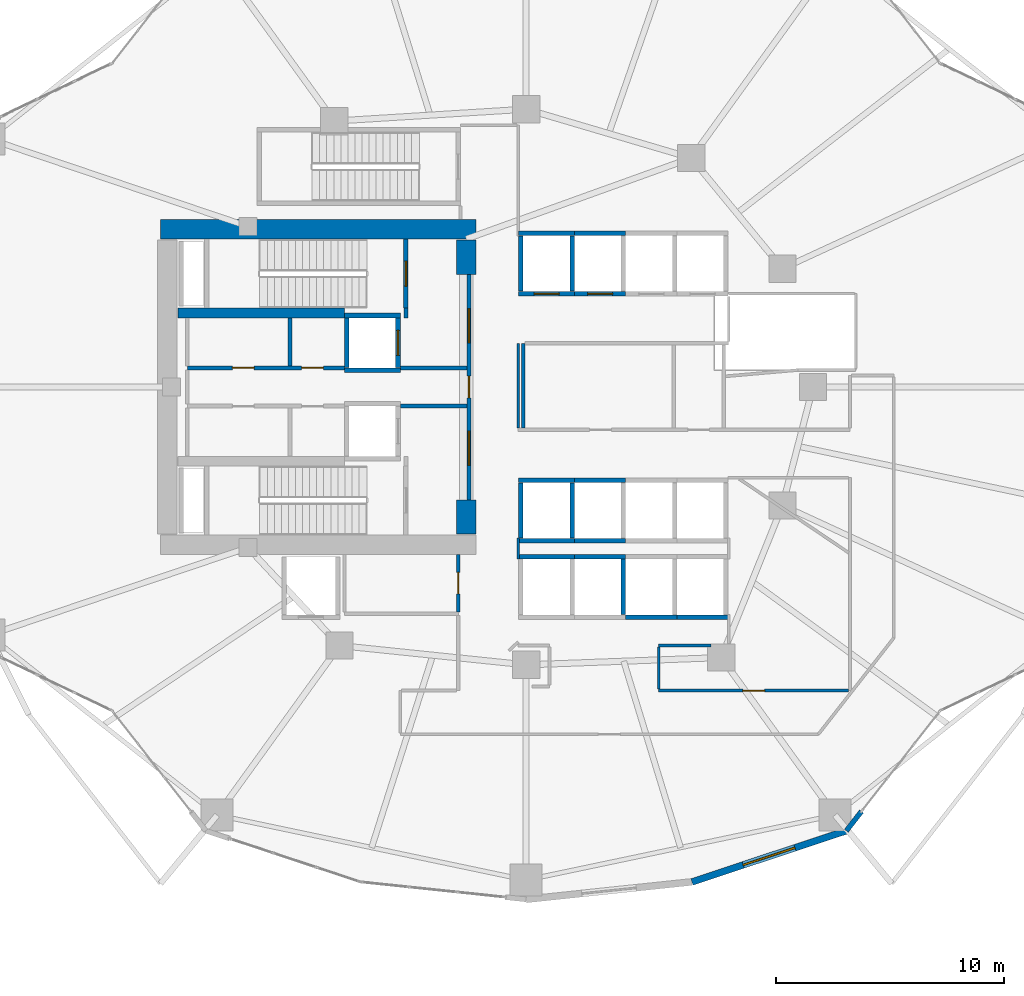
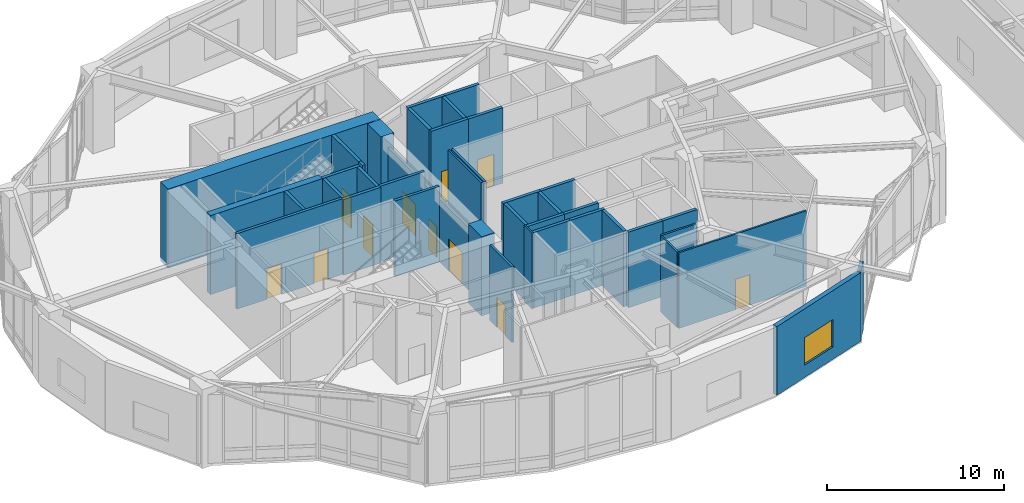
# One storey, part 22 of 29: 41 walls, 11 doors, 1 window, 12 openings.
"""IFC4 building model written with IfcOpenShell, lengths in metres."""

from ifc_helpers import new_model, si_unit, direction, frame, frame_2d, origin, place, context, subcontext, project, spatial, rectangle, extrude, material, layer, layer_set, type_object, element, fill, save


model = new_model("IFC4")

# Units and contexts
model_context = context("Model", 3, precision=1e-05, world=origin(), true_north=direction((0.0, 1.0)))
body_context = subcontext(model_context, "Body", "Model", "MODEL_VIEW")
ifc_project = project(units=[si_unit("LENGTHUNIT", "METRE"), si_unit("AREAUNIT", "SQUARE_METRE"), si_unit("VOLUMEUNIT", "CUBIC_METRE"), si_unit("PLANEANGLEUNIT", "RADIAN"), si_unit("MASSUNIT", "GRAM", prefix="KILO")], contexts=[model_context])

# Site, building, storey
site_placement = place(None, origin())
site = spatial("IfcSite", under=ifc_project, at=site_placement, CompositionType="ELEMENT")
building_placement = place(site_placement, origin())
building = spatial("IfcBuilding", under=site, at=building_placement, Name="Kolvaren Gate Tower and Convention Centre", CompositionType="ELEMENT")
storey_placement = place(building_placement, frame((0.0, 0.0, 21.0)))
storey = spatial("IfcBuildingStorey", under=building, at=storey_placement, Name="L04", CompositionType="ELEMENT", Elevation=21.0)

# Wall
ifc_material_1 = material(Name="Autoclaved Aerated Masonry Blockwork Class 4 (4.0 MPa)", Category="masonry")
ifc_layer_1 = layer(ifc_material_1, 0.179931640625)
ifc_layer_set_1 = layer_set([ifc_layer_1], Name="Autoclaved Aerated Masonry Blockwork Class 4 (4.0 MPa)")
wall_type_1 = type_object("IfcWallType", Name="ARCH-WL-COMP-180", PredefinedType="SOLIDWALL", material=ifc_layer_set_1)
wall_1_placement = place(storey_placement, frame((24.85009765625, 30.0400390625, 0.0), z_axis=(0.0, 0.0, 1.0), x_axis=(0.0, 1.0, 0.0)))
element("IfcWall", 1, at=wall_1_placement, inside=storey, type_object=wall_type_1, Name="Interior Partition WL-L04-INT-002", PredefinedType="SOLIDWALL", context=body_context, shape_type="SweptSolid", body=[
    extrude(rectangle(XDim=0.419921875, YDim=0.179931640625, at=frame_2d((0.2099609375, 0.0))), origin(), (0.0, 0.0, 1.0), 5.219970703125),
])

# Wall, openings, doors
wall_2_placement = place(storey_placement, frame((27.6201171875, 22.050048828125, 0.0), z_axis=(0.0, 0.0, 1.0), x_axis=(0.0, 1.0, 0.0)))
wall_2 = element("IfcWall", 2, at=wall_2_placement, inside=storey, type_object=wall_type_1, Name="Interior Partition WL-L04-INT-003", PredefinedType="SOLIDWALL", context=body_context, shape_type="SweptSolid", body=[
    extrude(rectangle(XDim=9.89990234375, YDim=0.179931640625, at=frame_2d((4.949951171875, 0.0))), origin(), (0.0, 0.0, 1.0), 4.31201171875),
])
opening_1_placement = place(wall_2_placement, frame((4.47509765625, 0.0, 0.0)))
opening_1 = element("IfcOpeningElement", 3, at=opening_1_placement, cuts=wall_2, Name="Opening DR-01", PredefinedType="OPENING", context=body_context, shape_type="SweptSolid", body=[
    extrude(rectangle(XDim=0.949951171875, YDim=2.10009765625, at=frame_2d((0.47509765625, 1.050048828125))), frame((0.0, 0.099853515625, 0.0), z_axis=(0.0, -1.0, 0.0), x_axis=(1.0, 0.0, 0.0)), (0.0, 0.0, 1.0), 0.199951171875),
])
opening_2_placement = place(wall_2_placement, frame((6.889892578125, 0.0, 0.0)))
opening_2 = element("IfcOpeningElement", 4, at=opening_2_placement, cuts=wall_2, Name="Opening DL-01", PredefinedType="OPENING", context=body_context, shape_type="SweptSolid", body=[
    extrude(rectangle(XDim=1.5, YDim=2.199951171875, at=frame_2d((0.75, 1.10009765625))), frame((0.0, 0.099853515625, 0.0), z_axis=(0.0, -1.0, 0.0), x_axis=(1.0, 0.0, 0.0)), (0.0, 0.0, 1.0), 0.199951171875),
])
opening_3_placement = place(wall_2_placement, frame((1.510009765625, 0.0, 0.0)))
opening_3 = element("IfcOpeningElement", 5, at=opening_3_placement, cuts=wall_2, Name="Opening DL-01", PredefinedType="OPENING", context=body_context, shape_type="SweptSolid", body=[
    extrude(rectangle(XDim=1.5, YDim=2.199951171875, at=frame_2d((0.75, 1.10009765625))), frame((0.0, 0.099853515625, 0.0), z_axis=(0.0, -1.0, 0.0), x_axis=(1.0, 0.0, 0.0)), (0.0, 0.0, 1.0), 0.199951171875),
])
ifc_material_2 = material(Name="Painted Architectural Steelwork ASTM A500 Grade C 345 MPa", Category="steel")
door_type_1 = type_object("IfcDoorType", Name="ARCH-DR-LOBBY-1500", OperationType="DOUBLE_DOOR_SINGLE_SWING", PredefinedType="DOOR", material=ifc_material_2)
door_1_placement = place(opening_2_placement, origin())
door_1 = element("IfcDoor", 6, at=door_1_placement, inside=storey, type_object=door_type_1, Name="North Firefighting Stair and Lift Lobby Door", OperationType="DOUBLE_DOOR_SINGLE_SWING", OverallHeight=2.199951171875, OverallWidth=1.5, PredefinedType="DOOR", context=body_context, shape_type="SweptSolid", body=[
    extrude(rectangle(XDim=1.5, YDim=2.199951171875, at=frame_2d((0.75, 1.10009765625))), frame((0.0, 0.02490234375, 0.0), z_axis=(0.0, -1.0, 0.0), x_axis=(1.0, 0.0, 0.0)), (0.0, 0.0, 1.0), 0.050048828125),
])
fill(opening_2, door_1)
door_2_placement = place(opening_3_placement, origin())
door_2 = element("IfcDoor", 7, at=door_2_placement, inside=storey, type_object=door_type_1, Name="South Firefighting Stair and Lift Lobby Door", OperationType="DOUBLE_DOOR_SINGLE_SWING", OverallHeight=2.199951171875, OverallWidth=1.5, PredefinedType="DOOR", context=body_context, shape_type="SweptSolid", body=[
    extrude(rectangle(XDim=1.5, YDim=2.199951171875, at=frame_2d((0.75, 1.10009765625))), frame((0.0, 0.02490234375, 0.0), z_axis=(0.0, -1.0, 0.0), x_axis=(1.0, 0.0, 0.0)), (0.0, 0.0, 1.0), 0.050048828125),
])
fill(opening_3, door_2)
door_type_2 = type_object("IfcDoorType", Name="ARCH-DR-RISER-950", OperationType="SINGLE_SWING_RIGHT", PredefinedType="DOOR", material=ifc_material_2)
door_3_placement = place(opening_1_placement, origin())
door_3 = element("IfcDoor", 8, at=door_3_placement, inside=storey, type_object=door_type_2, Name="Central MEP Service Corridor Door", OperationType="SINGLE_SWING_LEFT", OverallHeight=2.10009765625, OverallWidth=0.949951171875, PredefinedType="DOOR", context=body_context, shape_type="SweptSolid", body=[
    extrude(rectangle(XDim=0.949951171875, YDim=2.10009765625, at=frame_2d((0.47509765625, 1.050048828125))), frame((0.0, 0.02490234375, 0.0), z_axis=(0.0, -1.0, 0.0), x_axis=(1.0, 0.0, 0.0)), (0.0, 0.0, 1.0), 0.050048828125),
])
fill(opening_1, door_3)

wall_3_placement = place(storey_placement, frame((15.25, 27.840087890625, 0.0), z_axis=(0.0, 0.0, 1.0), x_axis=(1.0, 0.0, 0.0)))
wall_3 = element("IfcWall", 9, at=wall_3_placement, inside=storey, type_object=wall_type_1, Name="Interior Partition WL-L04-INT-004", PredefinedType="SOLIDWALL", context=body_context, shape_type="SweptSolid", body=[
    extrude(rectangle(XDim=6.89990234375, YDim=0.179931640625, at=frame_2d((3.449951171875, 0.0))), origin(), (0.0, 0.0, 1.0), 5.219970703125),
])
opening_4_placement = place(wall_3_placement, frame((5.02001953125, 0.0, 0.0)))
opening_4 = element("IfcOpeningElement", 10, at=opening_4_placement, cuts=wall_3, Name="Opening DR-01", PredefinedType="OPENING", context=body_context, shape_type="SweptSolid", body=[
    extrude(rectangle(XDim=0.949951171875, YDim=2.10009765625, at=frame_2d((0.47509765625, 1.050048828125))), frame((0.0, 0.099853515625, 0.0), z_axis=(0.0, -1.0, 0.0), x_axis=(1.0, 0.0, 0.0)), (0.0, 0.0, 1.0), 0.199951171875),
])
opening_5_placement = place(wall_3_placement, frame((1.97998046875, 0.0, 0.0)))
opening_5 = element("IfcOpeningElement", 11, at=opening_5_placement, cuts=wall_3, Name="Opening DR-01", PredefinedType="OPENING", context=body_context, shape_type="SweptSolid", body=[
    extrude(rectangle(XDim=0.949951171875, YDim=2.10009765625, at=frame_2d((0.47509765625, 1.050048828125))), frame((0.0, 0.099853515625, 0.0), z_axis=(0.0, -1.0, 0.0), x_axis=(1.0, 0.0, 0.0)), (0.0, 0.0, 1.0), 0.199951171875),
])
door_4_placement = place(opening_4_placement, origin())
door_4 = element("IfcDoor", 12, at=door_4_placement, inside=storey, type_object=door_type_2, Name="Electrical Switchgear Closet Door", OperationType="SINGLE_SWING_RIGHT", OverallHeight=2.10009765625, OverallWidth=0.949951171875, PredefinedType="DOOR", context=body_context, shape_type="SweptSolid", body=[
    extrude(rectangle(XDim=0.949951171875, YDim=2.10009765625, at=frame_2d((0.47509765625, 1.050048828125))), frame((0.0, 0.02490234375, 0.0), z_axis=(0.0, -1.0, 0.0), x_axis=(1.0, 0.0, 0.0)), (0.0, 0.0, 1.0), 0.050048828125),
])
fill(opening_4, door_4)
door_5_placement = place(opening_5_placement, origin())
door_5 = element("IfcDoor", 13, at=door_5_placement, inside=storey, type_object=door_type_2, Name="Staff Powder Washroom Door", OperationType="SINGLE_SWING_RIGHT", OverallHeight=2.10009765625, OverallWidth=0.949951171875, PredefinedType="DOOR", context=body_context, shape_type="SweptSolid", body=[
    extrude(rectangle(XDim=0.949951171875, YDim=2.10009765625, at=frame_2d((0.47509765625, 1.050048828125))), frame((0.0, 0.02490234375, 0.0), z_axis=(0.0, -1.0, 0.0), x_axis=(1.0, 0.0, 0.0)), (0.0, 0.0, 1.0), 0.050048828125),
])
fill(opening_5, door_5)

# Walls
for number, where, z_axis, x_axis, name in (
    (14, (24.60009765625, 27.840087890625, 0.0), (0.0, 0.0, 1.0), (1.0, 0.0, 0.0), "Interior Partition WL-L04-INT-004 (2)"),
    (15, (24.60009765625, 26.159912109375, 0.0), (0.0, 0.0, 1.0), (1.0, 0.0, 0.0), "Interior Partition WL-L04-INT-005 (2)"),
):
    element("IfcWall", number, at=place(storey_placement, frame(where, z_axis=z_axis, x_axis=x_axis)), inside=storey, type_object=wall_type_1, Name=name, PredefinedType="SOLIDWALL", context=body_context, shape_type="SweptSolid", body=[
        extrude(rectangle(XDim=2.927978515625, YDim=0.179931640625, at=frame_2d((1.4638671875, 0.0))), origin(), (0.0, 0.0, 1.0), 5.219970703125),
    ])
wall_4_placement = place(storey_placement, frame((19.75, 27.931884765625, 0.0), z_axis=(0.0, 0.0, 1.0), x_axis=(0.0, 1.0, 0.0)))
element("IfcWall", 16, at=wall_4_placement, inside=storey, type_object=wall_type_1, Name="Interior Partition WL-L04-INT-008", PredefinedType="SOLIDWALL", context=body_context, shape_type="SweptSolid", body=[
    extrude(rectangle(XDim=2.106201171875, YDim=0.179931640625, at=frame_2d((1.05322265625, 0.0))), origin(), (0.0, 0.0, 1.0), 5.219970703125),
])
ifc_material_3 = material(Name="Fire-Rated Acoustic Gypsum Stud Partition", Category="gypsum")
ifc_layer_2 = layer(ifc_material_3, 0.1201171875)
ifc_layer_set_2 = layer_set([ifc_layer_2], Name="Fire-Rated Acoustic Gypsum Stud Partition")
wall_type_2 = type_object("IfcWallType", Name="ARCH-WL-PART-120", PredefinedType="PARTITIONING", material=ifc_layer_set_2)
wall_5_placement = place(storey_placement, frame((29.780029296875, 19.43994140625, 0.0), z_axis=(0.0, 0.0, 1.0), x_axis=(0.0, 1.0, 0.0)))
element("IfcWall", 17, at=wall_5_placement, inside=storey, type_object=wall_type_2, Name="Interior Partition WL-L04-INT-017", PredefinedType="PARTITIONING", context=body_context, shape_type="SweptSolid", body=[
    extrude(rectangle(XDim=0.920166015625, YDim=0.1201171875, at=frame_2d((0.4599609375, 0.0))), origin(), (0.0, 0.0, 1.0), 5.219970703125),
])
wall_6_placement = place(storey_placement, frame((29.780029296875, 25.197021484375, 0.0), z_axis=(0.0, 0.0, 1.0), x_axis=(0.0, 1.0, 0.0)))
element("IfcWall", 18, at=wall_6_placement, inside=storey, type_object=wall_type_2, Name="Interior Partition WL-L04-INT-018", PredefinedType="PARTITIONING", context=body_context, shape_type="SweptSolid", body=[
    extrude(rectangle(XDim=3.722900390625, YDim=0.1201171875, at=frame_2d((1.861328125, 0.0))), origin(), (0.0, 0.0, 1.0), 5.219970703125),
])

# Wall, opening, door
wall_7_placement = place(storey_placement, frame((35.949951171875, 13.669921875, 0.0), z_axis=(0.0, 0.0, 1.0), x_axis=(1.0, 0.0, 0.0)))
wall_7 = element("IfcWall", 19, at=wall_7_placement, inside=storey, type_object=wall_type_2, Name="Interior Partition WL-L04-INT-030", PredefinedType="PARTITIONING", context=body_context, shape_type="SweptSolid", body=[
    extrude(rectangle(XDim=8.338134765625, YDim=0.1201171875, at=frame_2d((4.1689453125, 0.0))), origin(), (0.0, 0.0, 1.0), 5.219970703125),
])
opening_6_placement = place(wall_7_placement, frame((3.694091796875, 0.0, 0.0)))
opening_6 = element("IfcOpeningElement", 20, at=opening_6_placement, cuts=wall_7, Name="Opening DR-01", PredefinedType="OPENING", context=body_context, shape_type="SweptSolid", body=[
    extrude(rectangle(XDim=0.949951171875, YDim=2.10009765625, at=frame_2d((0.47509765625, 1.050048828125))), frame((0.0, 0.070068359375, 0.0), z_axis=(0.0, -1.0, 0.0), x_axis=(1.0, 0.0, 0.0)), (0.0, 0.0, 1.0), 0.14013671875),
])
door_6_placement = place(opening_6_placement, origin())
door_6 = element("IfcDoor", 21, at=door_6_placement, inside=storey, type_object=door_type_2, Name="Tower Podium Conference Room B Door", OperationType="SINGLE_SWING_RIGHT", OverallHeight=2.10009765625, OverallWidth=0.949951171875, PredefinedType="DOOR", context=body_context, shape_type="SweptSolid", body=[
    extrude(rectangle(XDim=0.949951171875, YDim=2.10009765625, at=frame_2d((0.47509765625, 1.050048828125))), frame((0.0, 0.02490234375, 0.0), z_axis=(0.0, -1.0, 0.0), x_axis=(1.0, 0.0, 0.0)), (0.0, 0.0, 1.0), 0.050048828125),
])
fill(opening_6, door_6)

# Walls
wall_8_placement = place(storey_placement, frame((35.949951171875, 15.64990234375, 0.0), z_axis=(0.0, 0.0, 1.0), x_axis=(1.0, 0.0, 0.0)))
element("IfcWall", 22, at=wall_8_placement, inside=storey, type_object=wall_type_2, Name="Interior Partition WL-L04-INT-034", PredefinedType="PARTITIONING", context=body_context, shape_type="SweptSolid", body=[
    extrude(rectangle(XDim=2.291015625, YDim=0.1201171875, at=frame_2d((1.1455078125, 0.0))), origin(), (0.0, 0.0, 1.0), 5.219970703125),
])
wall_9_placement = place(storey_placement, frame((35.949951171875, 13.73193359375, 0.0), z_axis=(0.0, 0.0, 1.0), x_axis=(0.0, 1.0, 0.0)))
element("IfcWall", 23, at=wall_9_placement, inside=storey, type_object=wall_type_2, Name="Interior Partition WL-L04-INT-035", PredefinedType="PARTITIONING", context=body_context, shape_type="SweptSolid", body=[
    extrude(rectangle(XDim=1.85595703125, YDim=0.1201171875, at=frame_2d((0.927978515625, 0.0))), origin(), (0.0, 0.0, 1.0), 5.219970703125),
])
ifc_material_4 = material(Name="Bogota Sabana Bush-Hammered Sandstone Cladding", Category="masonry")
ifc_layer_3 = layer(ifc_material_4, 0.219970703125)
ifc_layer_set_3 = layer_set([ifc_layer_3], Name="Bogota Sabana Bush-Hammered Sandstone Cladding")
wall_type_3 = type_object("IfcWallType", Name="ARCH-WL-PIER-220", PredefinedType="SOLIDWALL", material=ifc_layer_set_3)
wall_10_placement = place(storey_placement, frame((44.1875, 7.514404296875, 0.0), z_axis=(0.0, 0.0, 1.0), x_axis=(0.616387780378, 0.787442762492, 0.0)))
element("IfcWall", 24, at=wall_10_placement, inside=storey, type_object=wall_type_3, Name="Tower L04 Unitised Curtain Wall CW-POD-GLZ Bay 20 Left Column Pier Wrap", PredefinedType="SOLIDWALL", context=body_context, shape_type="SweptSolid", body=[
    extrude(rectangle(XDim=1.076171875, YDim=0.219970703125, at=frame_2d((0.5380859375, 0.0))), origin(), (0.0, 0.0, 1.0), 4.742919921875),
])
ifc_layer_4 = layer(ifc_material_1, 0.199951171875)
ifc_layer_set_4 = layer_set([ifc_layer_4], Name="Autoclaved Aerated Masonry Blockwork Class 4 (4.0 MPa)")
wall_type_4 = type_object("IfcWallType", Name="ARCH-WL-SHAFT-200", PredefinedType="SOLIDWALL", material=ifc_layer_set_4)
for number, where, z_axis, x_axis, name in (
    (25, (22.14990234375, 30.139892578125, 0.0), (0.0, 0.0, 1.0), (1.0, 0.0, 0.0), "Elevator FF-01 L04 Fire Shaft Wall N"),
    (26, (22.14990234375, 27.739990234375, 0.0), (0.0, 0.0, 1.0), (1.0, 0.0, 0.0), "Elevator FF-01 L04 Fire Shaft Wall S"),
):
    element("IfcWall", number, at=place(storey_placement, frame(where, z_axis=z_axis, x_axis=x_axis)), inside=storey, type_object=wall_type_4, Name=name, PredefinedType="SOLIDWALL", context=body_context, shape_type="SweptSolid", body=[
        extrude(rectangle(XDim=2.4501953125, YDim=0.199951171875, at=frame_2d((1.22509765625, 0.0))), origin(), (0.0, 0.0, 1.0), 5.219970703125),
    ])
wall_11_placement = place(storey_placement, frame((22.25, 27.85009765625, 0.0), z_axis=(0.0, 0.0, 1.0), x_axis=(0.0, 1.0, 0.0)))
element("IfcWall", 27, at=wall_11_placement, inside=storey, type_object=wall_type_4, Name="Elevator FF-01 L04 Fire Shaft Wall W", PredefinedType="SOLIDWALL", context=body_context, shape_type="SweptSolid", body=[
    extrude(rectangle(XDim=2.179931640625, YDim=0.199951171875, at=frame_2d((1.08984375, 0.0))), origin(), (0.0, 0.0, 1.0), 5.219970703125),
])

# Wall, opening, door
wall_12_placement = place(storey_placement, frame((24.5, 27.85009765625, 0.0), z_axis=(0.0, 0.0, 1.0), x_axis=(0.0, 1.0, 0.0)))
wall_12 = element("IfcWall", 28, at=wall_12_placement, inside=storey, type_object=wall_type_4, Name="Elevator FF-01 L04 Fire Shaft Wall E", PredefinedType="SOLIDWALL", context=body_context, shape_type="SweptSolid", body=[
    extrude(rectangle(XDim=2.179931640625, YDim=0.199951171875, at=frame_2d((1.08984375, 0.0))), origin(), (0.0, 0.0, 1.0), 5.219970703125),
])
opening_7_placement = place(wall_12_placement, frame((0.5400390625, 0.0, 0.0)))
opening_7 = element("IfcOpeningElement", 29, at=opening_7_placement, cuts=wall_12, Name="Opening LD", PredefinedType="OPENING", context=body_context, shape_type="SweptSolid", body=[
    extrude(rectangle(XDim=1.10009765625, YDim=2.199951171875, at=frame_2d((0.550048828125, 1.10009765625))), frame((0.0, 0.10986328125, 0.0), z_axis=(0.0, -1.0, 0.0), x_axis=(1.0, 0.0, 0.0)), (0.0, 0.0, 1.0), 0.219970703125),
])
ifc_material_5 = material(Name="Brushed Stainless Steel Grade 316L", Category="steel")
door_type_3 = type_object("IfcDoorType", Name="ARCH-DR-LIFT-1100", OperationType="SLIDING_TO_LEFT", PredefinedType="DOOR", material=ifc_material_5)
door_7_placement = place(opening_7_placement, origin())
door_7 = element("IfcDoor", 30, at=door_7_placement, inside=storey, type_object=door_type_3, Name="Elevator FF-01 L04 Sliding Landing Door", OperationType="SLIDING_TO_LEFT", OverallHeight=2.199951171875, OverallWidth=1.10009765625, PredefinedType="DOOR", context=body_context, shape_type="SweptSolid", body=[
    extrude(rectangle(XDim=1.10009765625, YDim=2.199951171875, at=frame_2d((0.550048828125, 1.10009765625))), frame((0.0, 0.02490234375, 0.0), z_axis=(0.0, -1.0, 0.0), x_axis=(1.0, 0.0, 0.0)), (0.0, 0.0, 1.0), 0.050048828125),
])
fill(opening_7, door_7)

# Wall
wall_13_placement = place(storey_placement, frame((29.800048828125, 33.75, 0.0), z_axis=(0.0, 0.0, 1.0), x_axis=(1.0, 0.0, 0.0)))
element("IfcWall", 31, at=wall_13_placement, inside=storey, type_object=wall_type_4, Name="Elevator PL-01 L04 Fire Shaft Wall N", PredefinedType="SOLIDWALL", context=body_context, shape_type="SweptSolid", body=[
    extrude(rectangle(XDim=2.449951171875, YDim=0.199951171875, at=frame_2d((1.22509765625, 0.0))), origin(), (0.0, 0.0, 1.0), 5.219970703125),
])

# Wall, opening, door
wall_14_placement = place(storey_placement, frame((29.800048828125, 31.10009765625, 0.0), z_axis=(0.0, 0.0, 1.0), x_axis=(1.0, 0.0, 0.0)))
wall_14 = element("IfcWall", 32, at=wall_14_placement, inside=storey, type_object=wall_type_4, Name="Elevator PL-01 L04 Fire Shaft Wall S", PredefinedType="SOLIDWALL", context=body_context, shape_type="SweptSolid", body=[
    extrude(rectangle(XDim=2.449951171875, YDim=0.199951171875, at=frame_2d((1.22509765625, 0.0))), origin(), (0.0, 0.0, 1.0), 5.219970703125),
])
opening_8_placement = place(wall_14_placement, frame((0.675048828125, 0.0, 0.0)))
opening_8 = element("IfcOpeningElement", 33, at=opening_8_placement, cuts=wall_14, Name="Opening LD", PredefinedType="OPENING", context=body_context, shape_type="SweptSolid", body=[
    extrude(rectangle(XDim=1.10009765625, YDim=2.199951171875, at=frame_2d((0.550048828125, 1.10009765625))), frame((0.0, 0.10986328125, 0.0), z_axis=(0.0, -1.0, 0.0), x_axis=(1.0, 0.0, 0.0)), (0.0, 0.0, 1.0), 0.219970703125),
])
door_8_placement = place(opening_8_placement, origin())
door_8 = element("IfcDoor", 34, at=door_8_placement, inside=storey, type_object=door_type_3, Name="Elevator PL-01 L04 Sliding Landing Door", OperationType="SLIDING_TO_LEFT", OverallHeight=2.199951171875, OverallWidth=1.10009765625, PredefinedType="DOOR", context=body_context, shape_type="SweptSolid", body=[
    extrude(rectangle(XDim=1.10009765625, YDim=2.199951171875, at=frame_2d((0.550048828125, 1.10009765625))), frame((0.0, 0.02490234375, 0.0), z_axis=(0.0, -1.0, 0.0), x_axis=(1.0, 0.0, 0.0)), (0.0, 0.0, 1.0), 0.050048828125),
])
fill(opening_8, door_8)

# Walls
for number, where, z_axis, x_axis, name in (
    (35, (29.89990234375, 31.2099609375, 0.0), (0.0, 0.0, 1.0), (0.0, 1.0, 0.0), "Elevator PL-01 L04 Fire Shaft Wall W"),
    (36, (32.14990234375, 31.2099609375, 0.0), (0.0, 0.0, 1.0), (0.0, 1.0, 0.0), "Elevator PL-01 L04 Fire Shaft Wall E"),
):
    element("IfcWall", number, at=place(storey_placement, frame(where, z_axis=z_axis, x_axis=x_axis)), inside=storey, type_object=wall_type_4, Name=name, PredefinedType="SOLIDWALL", context=body_context, shape_type="SweptSolid", body=[
        extrude(rectangle(XDim=2.429931640625, YDim=0.199951171875, at=frame_2d((1.21484375, 0.0))), origin(), (0.0, 0.0, 1.0), 5.219970703125),
    ])
wall_15_placement = place(storey_placement, frame((32.25, 33.75, 0.0), z_axis=(0.0, 0.0, 1.0), x_axis=(1.0, 0.0, 0.0)))
element("IfcWall", 37, at=wall_15_placement, inside=storey, type_object=wall_type_4, Name="Elevator PL-02 L04 Fire Shaft Wall N", PredefinedType="SOLIDWALL", context=body_context, shape_type="SweptSolid", body=[
    extrude(rectangle(XDim=2.25, YDim=0.199951171875, at=frame_2d((1.125, 0.0))), origin(), (0.0, 0.0, 1.0), 5.219970703125),
])

# Wall, opening, door
wall_16_placement = place(storey_placement, frame((32.25, 31.10009765625, 0.0), z_axis=(0.0, 0.0, 1.0), x_axis=(1.0, 0.0, 0.0)))
wall_16 = element("IfcWall", 38, at=wall_16_placement, inside=storey, type_object=wall_type_4, Name="Elevator PL-02 L04 Fire Shaft Wall S", PredefinedType="SOLIDWALL", context=body_context, shape_type="SweptSolid", body=[
    extrude(rectangle(XDim=2.25, YDim=0.199951171875, at=frame_2d((1.125, 0.0))), origin(), (0.0, 0.0, 1.0), 5.219970703125),
])
opening_9_placement = place(wall_16_placement, frame((0.574951171875, 0.0, 0.0)))
opening_9 = element("IfcOpeningElement", 39, at=opening_9_placement, cuts=wall_16, Name="Opening LD", PredefinedType="OPENING", context=body_context, shape_type="SweptSolid", body=[
    extrude(rectangle(XDim=1.10009765625, YDim=2.199951171875, at=frame_2d((0.550048828125, 1.10009765625))), frame((0.0, 0.10986328125, 0.0), z_axis=(0.0, -1.0, 0.0), x_axis=(1.0, 0.0, 0.0)), (0.0, 0.0, 1.0), 0.219970703125),
])
door_9_placement = place(opening_9_placement, origin())
door_9 = element("IfcDoor", 40, at=door_9_placement, inside=storey, type_object=door_type_3, Name="Elevator PL-02 L04 Sliding Landing Door", OperationType="SLIDING_TO_LEFT", OverallHeight=2.199951171875, OverallWidth=1.10009765625, PredefinedType="DOOR", context=body_context, shape_type="SweptSolid", body=[
    extrude(rectangle(XDim=1.10009765625, YDim=2.199951171875, at=frame_2d((0.550048828125, 1.10009765625))), frame((0.0, 0.02490234375, 0.0), z_axis=(0.0, -1.0, 0.0), x_axis=(1.0, 0.0, 0.0)), (0.0, 0.0, 1.0), 0.050048828125),
])
fill(opening_9, door_9)

# Walls
wall_17_placement = place(storey_placement, frame((29.800048828125, 19.550048828125, 0.0), z_axis=(0.0, 0.0, 1.0), x_axis=(1.0, 0.0, 0.0)))
element("IfcWall", 41, at=wall_17_placement, inside=storey, type_object=wall_type_4, Name="Elevator PL-05 L04 Fire Shaft Wall N", PredefinedType="SOLIDWALL", context=body_context, shape_type="SweptSolid", body=[
    extrude(rectangle(XDim=2.449951171875, YDim=0.199951171875, at=frame_2d((1.22509765625, 0.0))), origin(), (0.0, 0.0, 1.0), 5.219970703125),
])
wall_18_placement = place(storey_placement, frame((32.25, 19.550048828125, 0.0), z_axis=(0.0, 0.0, 1.0), x_axis=(1.0, 0.0, 0.0)))
element("IfcWall", 42, at=wall_18_placement, inside=storey, type_object=wall_type_4, Name="Elevator PL-06 L04 Fire Shaft Wall N", PredefinedType="SOLIDWALL", context=body_context, shape_type="SweptSolid", body=[
    extrude(rectangle(XDim=2.25, YDim=0.199951171875, at=frame_2d((1.125, 0.0))), origin(), (0.0, 0.0, 1.0), 5.219970703125),
])
wall_19_placement = place(storey_placement, frame((34.39990234375, 17.010009765625, 0.0), z_axis=(0.0, 0.0, 1.0), x_axis=(0.0, 1.0, 0.0)))
element("IfcWall", 43, at=wall_19_placement, inside=storey, type_object=wall_type_4, Name="Elevator PL-06 L04 Fire Shaft Wall E", PredefinedType="SOLIDWALL", context=body_context, shape_type="SweptSolid", body=[
    extrude(rectangle(XDim=2.429931640625, YDim=0.199951171875, at=frame_2d((1.21484375, 0.0))), origin(), (0.0, 0.0, 1.0), 5.219970703125),
])
for number, where, z_axis, x_axis, name in (
    (44, (34.5, 16.89990234375, 0.0), (0.0, 0.0, 1.0), (1.0, 0.0, 0.0), "Elevator PL-07 L04 Fire Shaft Wall S"),
    (45, (36.75, 16.89990234375, 0.0), (0.0, 0.0, 1.0), (1.0, 0.0, 0.0), "Elevator PL-08 L04 Fire Shaft Wall S"),
):
    element("IfcWall", number, at=place(storey_placement, frame(where, z_axis=z_axis, x_axis=x_axis)), inside=storey, type_object=wall_type_4, Name=name, PredefinedType="SOLIDWALL", context=body_context, shape_type="SweptSolid", body=[
        extrude(rectangle(XDim=2.25, YDim=0.199951171875, at=frame_2d((1.125, 0.0))), origin(), (0.0, 0.0, 1.0), 5.219970703125),
    ])
for number, where, z_axis, x_axis, name in (
    (46, (29.800048828125, 22.89990234375, 0.0), (0.0, 0.0, 1.0), (1.0, 0.0, 0.0), "Elevator PL-09 L04 Fire Shaft Wall N"),
    (47, (29.800048828125, 20.25, 0.0), (0.0, 0.0, 1.0), (1.0, 0.0, 0.0), "Elevator PL-09 L04 Fire Shaft Wall S"),
):
    element("IfcWall", number, at=place(storey_placement, frame(where, z_axis=z_axis, x_axis=x_axis)), inside=storey, type_object=wall_type_4, Name=name, PredefinedType="SOLIDWALL", context=body_context, shape_type="SweptSolid", body=[
        extrude(rectangle(XDim=2.449951171875, YDim=0.199951171875, at=frame_2d((1.22509765625, 0.0))), origin(), (0.0, 0.0, 1.0), 5.219970703125),
    ])
for number, where, z_axis, x_axis, name in (
    (48, (29.89990234375, 20.360107421875, 0.0), (0.0, 0.0, 1.0), (0.0, 1.0, 0.0), "Elevator PL-09 L04 Fire Shaft Wall W"),
    (49, (32.14990234375, 20.360107421875, 0.0), (0.0, 0.0, 1.0), (0.0, 1.0, 0.0), "Elevator PL-09 L04 Fire Shaft Wall E"),
):
    element("IfcWall", number, at=place(storey_placement, frame(where, z_axis=z_axis, x_axis=x_axis)), inside=storey, type_object=wall_type_4, Name=name, PredefinedType="SOLIDWALL", context=body_context, shape_type="SweptSolid", body=[
        extrude(rectangle(XDim=2.429931640625, YDim=0.199951171875, at=frame_2d((1.21484375, 0.0))), origin(), (0.0, 0.0, 1.0), 5.219970703125),
    ])
for number, where, z_axis, x_axis, name in (
    (50, (32.25, 22.89990234375, 0.0), (0.0, 0.0, 1.0), (1.0, 0.0, 0.0), "Elevator PL-10 L04 Fire Shaft Wall N"),
    (51, (32.25, 20.25, 0.0), (0.0, 0.0, 1.0), (1.0, 0.0, 0.0), "Elevator PL-10 L04 Fire Shaft Wall S"),
):
    element("IfcWall", number, at=place(storey_placement, frame(where, z_axis=z_axis, x_axis=x_axis)), inside=storey, type_object=wall_type_4, Name=name, PredefinedType="SOLIDWALL", context=body_context, shape_type="SweptSolid", body=[
        extrude(rectangle(XDim=2.25, YDim=0.199951171875, at=frame_2d((1.125, 0.0))), origin(), (0.0, 0.0, 1.0), 5.219970703125),
    ])

# Wall, opening, window
ifc_material_6 = material(Name="Piedmont Cream Honed Limestone Cladding", Category="masonry")
ifc_layer_5 = layer(ifc_material_6, 0.300048828125)
ifc_layer_set_5 = layer_set([ifc_layer_5], Name="Piedmont Cream Honed Limestone Cladding")
wall_type_5 = type_object("IfcWallType", Name="ARCH-WL-STONE-300", PredefinedType="SOLIDWALL", material=ifc_layer_set_5)
wall_20_placement = place(storey_placement, frame((37.404296875, 5.2666015625, 0.0), z_axis=(0.0, 0.0, 1.0), x_axis=(0.949238715533, 0.31455661006, 0.0)))
wall_20 = element("IfcWall", 52, at=wall_20_placement, inside=storey, type_object=wall_type_5, Name="Tower L04 Honed Stone Spandrel Wall EW-19", PredefinedType="SOLIDWALL", context=body_context, shape_type="SweptSolid", body=[
    extrude(rectangle(XDim=7.14599609375, YDim=0.300048828125, at=frame_2d((3.572998046875, 0.0))), origin(), (0.0, 0.0, 1.0), 4.742919921875),
])
opening_10_placement = place(wall_20_placement, frame((2.373046875, 0.0, 0.85009765625)))
opening_10 = element("IfcOpeningElement", 53, at=opening_10_placement, cuts=wall_20, Name="Opening W-01", PredefinedType="OPENING", context=body_context, shape_type="SweptSolid", body=[
    extrude(rectangle(XDim=2.39990234375, YDim=1.89990234375, at=frame_2d((1.199951171875, 0.949951171875))), frame((0.0, 0.159912109375, 0.0), z_axis=(0.0, -1.0, 0.0), x_axis=(1.0, 0.0, 0.0)), (0.0, 0.0, 1.0), 0.320068359375),
])
ifc_material_7 = material(Name="Low-E Triple Insulated Glazing Unit 44 mm", Category="glass")
window_type = type_object("IfcWindowType", Name="ARCH-WN-OFF-2400", PartitioningType="SINGLE_PANEL", PredefinedType="WINDOW", material=ifc_material_7)
window_placement = place(opening_10_placement, origin())
window = element("IfcWindow", 54, at=window_placement, inside=storey, type_object=window_type, Name="Tower L04 Punched Stone Facade Window W-19", OverallHeight=1.89990234375, OverallWidth=2.39990234375, PartitioningType="SINGLE_PANEL", PredefinedType="WINDOW", context=body_context, shape_type="SweptSolid", body=[
    extrude(rectangle(XDim=2.39990234375, YDim=1.89990234375, at=frame_2d((1.199951171875, 0.949951171875))), frame((0.0, 0.030029296875, 0.0), z_axis=(0.0, -1.0, 0.0), x_axis=(1.0, 0.0, 0.0)), (0.0, 0.0, 1.0), 0.06005859375),
])
fill(opening_10, window)

# Wall, opening, door
ifc_material_8 = material(Name="Moisture-Resistant Cement-Board Acoustic Partition", Category="gypsum")
ifc_layer_6 = layer(ifc_material_8, 0.14990234375)
ifc_layer_set_6 = layer_set([ifc_layer_6], Name="Moisture-Resistant Cement-Board Acoustic Partition")
wall_type_6 = type_object("IfcWallType", Name="ARCH-WL-WET-150", PredefinedType="PARTITIONING", material=ifc_layer_set_6)
wall_21_placement = place(storey_placement, frame((27.14990234375, 17.126953125, 0.0), z_axis=(0.0, 0.0, 1.0), x_axis=(0.0, 1.0, 0.0)))
wall_21 = element("IfcWall", 55, at=wall_21_placement, inside=storey, type_object=wall_type_6, Name="Interior Partition WL-L04-INT-011 (2)", PredefinedType="PARTITIONING", context=body_context, shape_type="SweptSolid", body=[
    extrude(rectangle(XDim=2.52099609375, YDim=0.14990234375, at=frame_2d((1.260498046875, 0.0))), origin(), (0.0, 0.0, 1.0), 5.219970703125),
])
opening_11_placement = place(wall_21_placement, frame((0.785400390625, 0.0, 0.0)))
opening_11 = element("IfcOpeningElement", 56, at=opening_11_placement, cuts=wall_21, Name="Opening DR-01", PredefinedType="OPENING", context=body_context, shape_type="SweptSolid", body=[
    extrude(rectangle(XDim=0.949951171875, YDim=2.10009765625, at=frame_2d((0.47509765625, 1.050048828125))), frame((0.0, 0.0849609375, 0.0), z_axis=(0.0, -1.0, 0.0), x_axis=(1.0, 0.0, 0.0)), (0.0, 0.0, 1.0), 0.169921875),
])
door_10_placement = place(opening_11_placement, origin())
door_10 = element("IfcDoor", 57, at=door_10_placement, inside=storey, type_object=door_type_2, Name="West Linen and Supply Store Door", OperationType="SINGLE_SWING_RIGHT", OverallHeight=2.10009765625, OverallWidth=0.949951171875, PredefinedType="DOOR", context=body_context, shape_type="SweptSolid", body=[
    extrude(rectangle(XDim=0.949951171875, YDim=2.10009765625, at=frame_2d((0.47509765625, 1.050048828125))), frame((0.0, 0.02490234375, 0.0), z_axis=(0.0, -1.0, 0.0), x_axis=(1.0, 0.0, 0.0)), (0.0, 0.0, 1.0), 0.050048828125),
])
fill(opening_11, door_10)

# Walls
wall_22_placement = place(storey_placement, frame((30.0, 25.197021484375, 0.0), z_axis=(0.0, 0.0, 1.0), x_axis=(0.0, 1.0, 0.0)))
element("IfcWall", 58, at=wall_22_placement, inside=storey, type_object=wall_type_6, Name="Interior Partition WL-L04-INT-013", PredefinedType="PARTITIONING", context=body_context, shape_type="SweptSolid", body=[
    extrude(rectangle(XDim=3.722900390625, YDim=0.14990234375, at=frame_2d((1.861328125, 0.0))), origin(), (0.0, 0.0, 1.0), 5.219970703125),
])
ifc_material_9 = material(Name="Concrete C50/60", Category="concrete")
ifc_layer_7 = layer(ifc_material_9, 0.419921875)
ifc_layer_set_7 = layer_set([ifc_layer_7], Name="Concrete C50/60")
wall_type_7 = type_object("IfcWallType", Name="STR-WL-CONV-420", PredefinedType="SHEAR", material=ifc_layer_set_7)
wall_23_placement = place(storey_placement, frame((14.85009765625, 30.25, -0.239990234375), z_axis=(0.0, 0.0, 1.0), x_axis=(1.0, 0.0, 0.0)))
element("IfcWall", 59, at=wall_23_placement, inside=storey, type_object=wall_type_7, Name="Tower L04 Offset Core Shear Wall WN", PredefinedType="SHEAR", context=body_context, shape_type="SweptSolid", body=[
    extrude(rectangle(XDim=7.2998046875, YDim=0.419921875, at=frame_2d((3.64990234375, 0.0))), origin(), (0.0, 0.0, 1.0), 5.4599609375),
])
ifc_material_10 = material(Name="Concrete C70/85", Category="concrete")
ifc_layer_8 = layer(ifc_material_10, 0.85009765625)
ifc_layer_set_8 = layer_set([ifc_layer_8], Name="Concrete C70/85")
wall_type_8 = type_object("IfcWallType", Name="STR-WL-CORE-850", PredefinedType="SHEAR", material=ifc_layer_set_8)
wall_24_placement = place(storey_placement, frame((14.074951171875, 33.925048828125, -0.239990234375), z_axis=(0.0, 0.0, 1.0), x_axis=(1.0, 0.0, 0.0)))
element("IfcWall", 60, at=wall_24_placement, inside=storey, type_object=wall_type_8, Name="Tower L04 Offset Core Shear Wall N", PredefinedType="SHEAR", context=body_context, shape_type="SweptSolid", body=[
    extrude(rectangle(XDim=13.85009765625, YDim=0.85009765625, at=frame_2d((6.925048828125, 0.0))), origin(), (0.0, 0.0, 1.0), 5.4599609375),
])
for number, where, z_axis, x_axis, name in (
    (61, (27.5, 31.949951171875, -0.239990234375), (0.0, 0.0, 1.0), (0.0, 1.0, 0.0), "Tower L04 Offset Core Shear Wall EN"),
    (62, (27.5, 20.550048828125, -0.239990234375), (0.0, 0.0, 1.0), (0.0, 1.0, 0.0), "Tower L04 Offset Core Shear Wall ES"),
):
    element("IfcWall", number, at=place(storey_placement, frame(where, z_axis=z_axis, x_axis=x_axis)), inside=storey, type_object=wall_type_8, Name=name, PredefinedType="SHEAR", context=body_context, shape_type="SweptSolid", body=[
        extrude(rectangle(XDim=1.5, YDim=0.85009765625, at=frame_2d((0.75, 0.0))), origin(), (0.0, 0.0, 1.0), 5.4599609375),
    ])

# Wall, opening, door
ifc_layer_9 = layer(ifc_material_9, 0.199951171875)
ifc_layer_set_9 = layer_set([ifc_layer_9], Name="Concrete C50/60")
wall_type_9 = type_object("IfcWallType", Name="STR-WL-SHAFT-200", PredefinedType="SHEAR", material=ifc_layer_set_9)
wall_25_placement = place(storey_placement, frame((24.85009765625, 30.4599609375, -0.239990234375), z_axis=(0.0, 0.0, 1.0), x_axis=(0.0, 1.0, 0.0)))
wall_25 = element("IfcWall", 63, at=wall_25_placement, inside=storey, type_object=wall_type_9, Name="Tower North Exit Stair ST-T1 L04 Structural Shear Enclosure Wall NEAR", PredefinedType="SHEAR", context=body_context, shape_type="SweptSolid", body=[
    extrude(rectangle(XDim=3.0380859375, YDim=0.199951171875, at=frame_2d((1.51904296875, 0.0))), origin(), (0.0, 0.0, 1.0), 5.4599609375),
])
opening_12_placement = place(wall_25_placement, frame((0.968994140625, 0.0, 0.239990234375)))
opening_12 = element("IfcOpeningElement", 64, at=opening_12_placement, cuts=wall_25, Name="Opening DS-01", PredefinedType="OPENING", context=body_context, shape_type="SweptSolid", body=[
    extrude(rectangle(XDim=1.10009765625, YDim=2.14990234375, at=frame_2d((0.550048828125, 1.074951171875))), frame((0.0, 0.10986328125, 0.0), z_axis=(0.0, -1.0, 0.0), x_axis=(1.0, 0.0, 0.0)), (0.0, 0.0, 1.0), 0.219970703125),
])
door_type_4 = type_object("IfcDoorType", Name="ARCH-DR-STAIR-1100", OperationType="SINGLE_SWING_LEFT", PredefinedType="DOOR", material=ifc_material_2)
door_11_placement = place(opening_12_placement, origin())
door_11 = element("IfcDoor", 65, at=door_11_placement, inside=storey, type_object=door_type_4, Name="Tower North Exit Stair ST-T1 L04 Fire Exit Stair Door", OperationType="SINGLE_SWING_RIGHT", OverallHeight=2.14990234375, OverallWidth=1.10009765625, PredefinedType="DOOR", context=body_context, shape_type="SweptSolid", body=[
    extrude(rectangle(XDim=1.10009765625, YDim=2.14990234375, at=frame_2d((0.550048828125, 1.074951171875))), frame((0.0, 0.02490234375, 0.0), z_axis=(0.0, -1.0, 0.0), x_axis=(1.0, 0.0, 0.0)), (0.0, 0.0, 1.0), 0.050048828125),
])
fill(opening_12, door_11)

save(model, "model.ifc")
